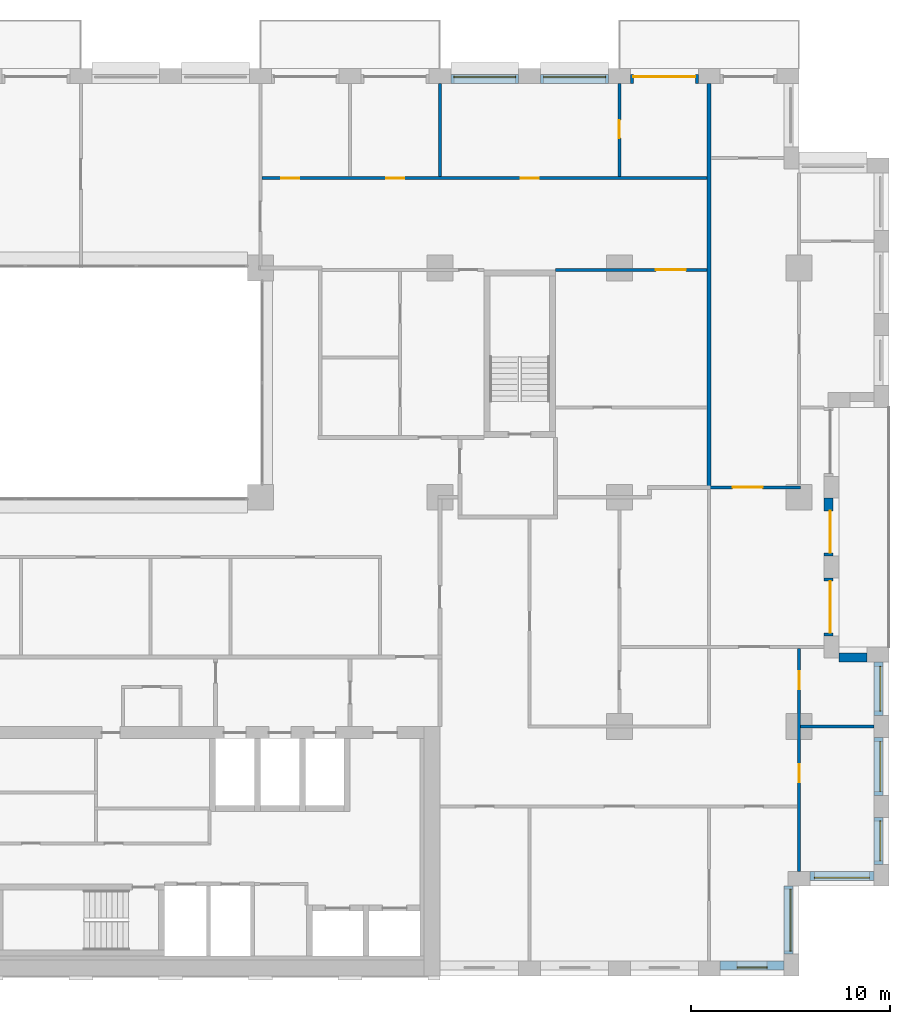
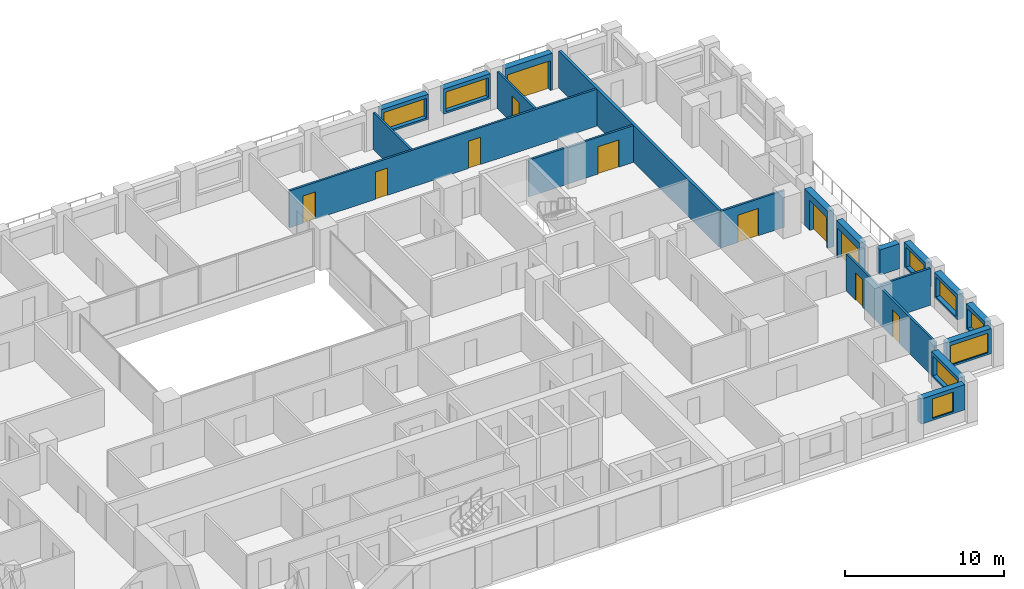
# One storey, part 14 of 16: 20 walls, 11 doors, 8 windows, 19 openings.
"""IFC4 building model written with IfcOpenShell, lengths in metres."""

from ifc_helpers import new_model, si_unit, direction, frame, frame_2d, origin, place, context, subcontext, project, spatial, rectangle, extrude, material, layer, layer_set, type_object, element, fill, save


model = new_model("IFC4")

# Units and contexts
model_context = context("Model", 3, precision=1e-05, world=origin(), true_north=direction((0.0, 1.0)))
body_context = subcontext(model_context, "Body", "Model", "MODEL_VIEW")
ifc_project = project(units=[si_unit("LENGTHUNIT", "METRE"), si_unit("AREAUNIT", "SQUARE_METRE"), si_unit("VOLUMEUNIT", "CUBIC_METRE"), si_unit("PLANEANGLEUNIT", "RADIAN"), si_unit("MASSUNIT", "GRAM", prefix="KILO")], contexts=[model_context])

# Site, building, storey
site_placement = place(None, origin())
site = spatial("IfcSite", under=ifc_project, at=site_placement, CompositionType="ELEMENT")
building_placement = place(site_placement, origin())
building = spatial("IfcBuilding", under=site, at=building_placement, Name="Brigalow Station Residences", CompositionType="ELEMENT")
storey_placement = place(building_placement, frame((0.0, 0.0, 118.199951171875)))
storey = spatial("IfcBuildingStorey", under=building, at=storey_placement, Name="L34", CompositionType="ELEMENT", Elevation=118.199951171875)

# Wall, opening, window
ifc_material_1 = material(Name="Clay brick masonry", Category="masonry")
ifc_layer_1 = layer(ifc_material_1, 0.449951171875)
ifc_layer_set_1 = layer_set([ifc_layer_1], Name="BRICK INFILL WALL 450")
wall_type_1 = type_object("IfcWallType", Name="BRICK INFILL WALL 450", PredefinedType="SOLIDWALL", material=ifc_layer_set_1)
wall_1_placement = place(storey_placement, frame((68.050048828125, 0.52490234375, 0.900146484375), z_axis=(0.0, 0.0, 1.0), x_axis=(1.0, 0.0, 0.0)))
wall_1 = element("IfcWall", 1, at=wall_1_placement, inside=storey, type_object=wall_type_1, Name="L34/ewall/W-L34-7", PredefinedType="SOLIDWALL", context=body_context, shape_type="SweptSolid", body=[
    extrude(rectangle(XDim=3.199951171875, YDim=0.449951171875, at=frame_2d((1.60009765625, 0.0))), origin(), (0.0, 0.0, 1.0), 1.929931640625),
])
opening_1_placement = place(wall_1_placement, frame((0.85009765625, 0.0, 0.14990234375)))
opening_1 = element("IfcOpeningElement", 2, at=opening_1_placement, cuts=wall_1, Name="Opening WT-1", PredefinedType="OPENING", context=body_context, shape_type="SweptSolid", body=[
    extrude(rectangle(XDim=1.5, YDim=1.5, at=frame_2d((0.75, 0.75))), frame((0.0, 0.23486328125, 0.0), z_axis=(0.0, -1.0, 0.0), x_axis=(1.0, 0.0, 0.0)), (0.0, 0.0, 1.0), 0.469970703125),
])
ifc_material_2 = material(Name="Anodised aluminium frame with double glazing", Category="aluminium")
window_type_1 = type_object("IfcWindowType", Name="WINDOW 1500x1500", PartitioningType="SINGLE_PANEL", PredefinedType="WINDOW", material=ifc_material_2)
window_1_placement = place(opening_1_placement, origin())
window_1 = element("IfcWindow", 3, at=window_1_placement, inside=storey, type_object=window_type_1, Name="L34/window/W-L34-7", OverallHeight=1.5, OverallWidth=1.5, PartitioningType="SINGLE_PANEL", PredefinedType="WINDOW", context=body_context, shape_type="SweptSolid", body=[
    extrude(rectangle(XDim=1.5, YDim=1.5, at=frame_2d((0.75, 0.75))), frame((0.0, -0.06494140625, 0.0), z_axis=(0.0, -1.0, 0.0), x_axis=(1.0, 0.0, 0.0)), (0.0, 0.0, 1.0), 0.06005859375),
])
fill(opening_1, window_1)

wall_2_placement = place(storey_placement, frame((71.47509765625, 1.10009765625, 0.900146484375), z_axis=(0.0, 0.0, 1.0), x_axis=(0.0, 1.0, 0.0)))
wall_2 = element("IfcWall", 4, at=wall_2_placement, inside=storey, type_object=wall_type_1, Name="L34/ewall/W-L34-8", PredefinedType="SOLIDWALL", context=body_context, shape_type="SweptSolid", body=[
    extrude(rectangle(XDim=3.39990234375, YDim=0.449951171875, at=frame_2d((1.699951171875, 0.0))), origin(), (0.0, 0.0, 1.0), 1.929931640625),
])
opening_2_placement = place(wall_2_placement, frame((0.14990234375, 0.0, 0.14990234375)))
opening_2 = element("IfcOpeningElement", 5, at=opening_2_placement, cuts=wall_2, Name="Opening WT-8", PredefinedType="OPENING", context=body_context, shape_type="SweptSolid", body=[
    extrude(rectangle(XDim=3.10009765625, YDim=1.5, at=frame_2d((1.550048828125, 0.75))), frame((0.0, 0.23486328125, 0.0), z_axis=(0.0, -1.0, 0.0), x_axis=(1.0, 0.0, 0.0)), (0.0, 0.0, 1.0), 0.469970703125),
])
ifc_material_3 = material(Name="Anodised aluminium frame with double glazing", Category="aluminium")
window_type_2 = type_object("IfcWindowType", Name="WINDOW 3100x1500", PartitioningType="SINGLE_PANEL", PredefinedType="WINDOW", material=ifc_material_3)
window_2_placement = place(opening_2_placement, origin())
window_2 = element("IfcWindow", 6, at=window_2_placement, inside=storey, type_object=window_type_2, Name="L34/window/W-L34-8", OverallHeight=1.5, OverallWidth=3.10009765625, PartitioningType="SINGLE_PANEL", PredefinedType="WINDOW", context=body_context, shape_type="SweptSolid", body=[
    extrude(rectangle(XDim=3.10009765625, YDim=1.5, at=frame_2d((1.550048828125, 0.75))), frame((0.0, -0.06494140625, 0.0), z_axis=(0.0, -1.0, 0.0), x_axis=(1.0, 0.0, 0.0)), (0.0, 0.0, 1.0), 0.06005859375),
])
fill(opening_2, window_2)

wall_3_placement = place(storey_placement, frame((72.550048828125, 5.02490234375, 0.900146484375), z_axis=(0.0, 0.0, 1.0), x_axis=(1.0, 0.0, 0.0)))
wall_3 = element("IfcWall", 7, at=wall_3_placement, inside=storey, type_object=wall_type_1, Name="L34/ewall/W-L34-9", PredefinedType="SOLIDWALL", context=body_context, shape_type="SweptSolid", body=[
    extrude(rectangle(XDim=3.199951171875, YDim=0.449951171875, at=frame_2d((1.60009765625, 0.0))), origin(), (0.0, 0.0, 1.0), 1.929931640625),
])
opening_3_placement = place(wall_3_placement, frame((0.22509765625, 0.0, 0.14990234375)))
opening_3 = element("IfcOpeningElement", 8, at=opening_3_placement, cuts=wall_3, Name="Opening WT-3", PredefinedType="OPENING", context=body_context, shape_type="SweptSolid", body=[
    extrude(rectangle(XDim=2.75, YDim=1.5, at=frame_2d((1.375, 0.75))), frame((0.0, 0.23486328125, 0.0), z_axis=(0.0, -1.0, 0.0), x_axis=(1.0, 0.0, 0.0)), (0.0, 0.0, 1.0), 0.469970703125),
])
ifc_material_4 = material(Name="Anodised aluminium frame with double glazing", Category="aluminium")
window_type_3 = type_object("IfcWindowType", Name="WINDOW 2750x1500", PartitioningType="SINGLE_PANEL", PredefinedType="WINDOW", material=ifc_material_4)
window_3_placement = place(opening_3_placement, origin())
window_3 = element("IfcWindow", 9, at=window_3_placement, inside=storey, type_object=window_type_3, Name="L34/window/W-L34-9", OverallHeight=1.5, OverallWidth=2.75, PartitioningType="SINGLE_PANEL", PredefinedType="WINDOW", context=body_context, shape_type="SweptSolid", body=[
    extrude(rectangle(XDim=2.75, YDim=1.5, at=frame_2d((1.375, 0.75))), frame((0.0, -0.06494140625, 0.0), z_axis=(0.0, -1.0, 0.0), x_axis=(1.0, 0.0, 0.0)), (0.0, 0.0, 1.0), 0.06005859375),
])
fill(opening_3, window_3)

wall_4_placement = place(storey_placement, frame((75.97509765625, 5.60009765625, 0.900146484375), z_axis=(0.0, 0.0, 1.0), x_axis=(0.0, 1.0, 0.0)))
wall_4 = element("IfcWall", 10, at=wall_4_placement, inside=storey, type_object=wall_type_1, Name="L34/ewall/W-L34-10", PredefinedType="SOLIDWALL", context=body_context, shape_type="SweptSolid", body=[
    extrude(rectangle(XDim=2.349853515625, YDim=0.449951171875, at=frame_2d((1.1748046875, 0.0))), origin(), (0.0, 0.0, 1.0), 1.929931640625),
])
opening_4_placement = place(wall_4_placement, frame((0.175048828125, 0.0, 0.14990234375)))
opening_4 = element("IfcOpeningElement", 11, at=opening_4_placement, cuts=wall_4, Name="Opening WT-7", PredefinedType="OPENING", context=body_context, shape_type="SweptSolid", body=[
    extrude(rectangle(XDim=2.0, YDim=1.5, at=frame_2d((1.0, 0.75))), frame((0.0, 0.23486328125, 0.0), z_axis=(0.0, -1.0, 0.0), x_axis=(1.0, 0.0, 0.0)), (0.0, 0.0, 1.0), 0.469970703125),
])
ifc_material_5 = material(Name="Anodised aluminium frame with double glazing", Category="aluminium")
window_type_4 = type_object("IfcWindowType", Name="WINDOW 2000x1500", PartitioningType="SINGLE_PANEL", PredefinedType="WINDOW", material=ifc_material_5)
window_4_placement = place(opening_4_placement, origin())
window_4 = element("IfcWindow", 12, at=window_4_placement, inside=storey, type_object=window_type_4, Name="L34/window/W-L34-10", OverallHeight=1.5, OverallWidth=2.0, PartitioningType="SINGLE_PANEL", PredefinedType="WINDOW", context=body_context, shape_type="SweptSolid", body=[
    extrude(rectangle(XDim=2.0, YDim=1.5, at=frame_2d((1.0, 0.75))), frame((0.0, -0.06494140625, 0.0), z_axis=(0.0, -1.0, 0.0), x_axis=(1.0, 0.0, 0.0)), (0.0, 0.0, 1.0), 0.06005859375),
])
fill(opening_4, window_4)

wall_5_placement = place(storey_placement, frame((75.97509765625, 9.050048828125, 0.900146484375), z_axis=(0.0, 0.0, 1.0), x_axis=(0.0, 1.0, 0.0)))
wall_5 = element("IfcWall", 13, at=wall_5_placement, inside=storey, type_object=wall_type_1, Name="L34/ewall/W-L34-11", PredefinedType="SOLIDWALL", context=body_context, shape_type="SweptSolid", body=[
    extrude(rectangle(XDim=2.89990234375, YDim=0.449951171875, at=frame_2d((1.449951171875, 0.0))), origin(), (0.0, 0.0, 1.0), 1.929931640625),
])
opening_5_placement = place(wall_5_placement, frame((0.199951171875, 0.0, 0.14990234375)))
opening_5 = element("IfcOpeningElement", 14, at=opening_5_placement, cuts=wall_5, Name="Opening WT-5", PredefinedType="OPENING", context=body_context, shape_type="SweptSolid", body=[
    extrude(rectangle(XDim=2.5, YDim=1.5, at=frame_2d((1.25, 0.75))), frame((0.0, 0.23486328125, 0.0), z_axis=(0.0, -1.0, 0.0), x_axis=(1.0, 0.0, 0.0)), (0.0, 0.0, 1.0), 0.469970703125),
])
ifc_material_6 = material(Name="Anodised aluminium frame with double glazing", Category="aluminium")
window_type_5 = type_object("IfcWindowType", Name="WINDOW 2500x1500", PartitioningType="SINGLE_PANEL", PredefinedType="WINDOW", material=ifc_material_6)
window_5_placement = place(opening_5_placement, origin())
window_5 = element("IfcWindow", 15, at=window_5_placement, inside=storey, type_object=window_type_5, Name="L34/window/W-L34-11", OverallHeight=1.5, OverallWidth=2.5, PartitioningType="SINGLE_PANEL", PredefinedType="WINDOW", context=body_context, shape_type="SweptSolid", body=[
    extrude(rectangle(XDim=2.5, YDim=1.5, at=frame_2d((1.25, 0.75))), frame((0.0, -0.06494140625, 0.0), z_axis=(0.0, -1.0, 0.0), x_axis=(1.0, 0.0, 0.0)), (0.0, 0.0, 1.0), 0.06005859375),
])
fill(opening_5, window_5)

wall_6_placement = place(storey_placement, frame((75.97509765625, 13.050048828125, 0.900146484375), z_axis=(0.0, 0.0, 1.0), x_axis=(0.0, 1.0, 0.0)))
wall_6 = element("IfcWall", 16, at=wall_6_placement, inside=storey, type_object=wall_type_1, Name="L34/ewall/W-L34-12", PredefinedType="SOLIDWALL", context=body_context, shape_type="SweptSolid", body=[
    extrude(rectangle(XDim=2.699951171875, YDim=0.449951171875, at=frame_2d((1.35009765625, 0.0))), origin(), (0.0, 0.0, 1.0), 1.929931640625),
])
opening_6_placement = place(wall_6_placement, frame((0.22509765625, 0.0, 0.14990234375)))
opening_6 = element("IfcOpeningElement", 17, at=opening_6_placement, cuts=wall_6, Name="Opening WT-6", PredefinedType="OPENING", context=body_context, shape_type="SweptSolid", body=[
    extrude(rectangle(XDim=2.25, YDim=1.5, at=frame_2d((1.125, 0.75))), frame((0.0, 0.23486328125, 0.0), z_axis=(0.0, -1.0, 0.0), x_axis=(1.0, 0.0, 0.0)), (0.0, 0.0, 1.0), 0.469970703125),
])
ifc_material_7 = material(Name="Anodised aluminium frame with double glazing", Category="aluminium")
window_type_6 = type_object("IfcWindowType", Name="WINDOW 2250x1500", PartitioningType="SINGLE_PANEL", PredefinedType="WINDOW", material=ifc_material_7)
window_6_placement = place(opening_6_placement, origin())
window_6 = element("IfcWindow", 18, at=window_6_placement, inside=storey, type_object=window_type_6, Name="L34/window/W-L34-12", OverallHeight=1.5, OverallWidth=2.25, PartitioningType="SINGLE_PANEL", PredefinedType="WINDOW", context=body_context, shape_type="SweptSolid", body=[
    extrude(rectangle(XDim=2.25, YDim=1.5, at=frame_2d((1.125, 0.75))), frame((0.0, -0.06494140625, 0.0), z_axis=(0.0, -1.0, 0.0), x_axis=(1.0, 0.0, 0.0)), (0.0, 0.0, 1.0), 0.06005859375),
])
fill(opening_6, window_6)

# Wall
wall_7_placement = place(storey_placement, frame((75.39990234375, 15.97509765625, 0.900146484375), z_axis=(0.0, 0.0, 1.0), x_axis=(-1.0, 0.0, 0.0)))
element("IfcWall", 19, at=wall_7_placement, inside=storey, type_object=wall_type_1, Name="L34/ewall/W-L34-13", PredefinedType="SOLIDWALL", context=body_context, shape_type="SweptSolid", body=[
    extrude(rectangle(XDim=1.39990234375, YDim=0.449951171875, at=frame_2d((0.699951171875, 0.0))), origin(), (0.0, 0.0, 1.0), 1.929931640625),
])

# Wall, opening, door
wall_8_placement = place(storey_placement, frame((73.47509765625, 17.050048828125, 0.0), z_axis=(0.0, 0.0, 1.0), x_axis=(0.0, 1.0, 0.0)))
wall_8 = element("IfcWall", 20, at=wall_8_placement, inside=storey, type_object=wall_type_1, Name="L34/ewall/W-L34-14", PredefinedType="SOLIDWALL", context=body_context, shape_type="SweptSolid", body=[
    extrude(rectangle(XDim=2.89990234375, YDim=0.449951171875, at=frame_2d((1.449951171875, 0.0))), origin(), (0.0, 0.0, 1.0), 2.830078125),
])
opening_7_placement = place(wall_8_placement, frame((0.14990234375, 0.0, 0.0)))
opening_7 = element("IfcOpeningElement", 21, at=opening_7_placement, cuts=wall_8, Name="Opening D-B2600", PredefinedType="OPENING", context=body_context, shape_type="SweptSolid", body=[
    extrude(rectangle(XDim=2.60009765625, YDim=2.300048828125, at=frame_2d((1.300048828125, 1.14990234375))), frame((0.0, 0.23486328125, 0.0), z_axis=(0.0, -1.0, 0.0), x_axis=(1.0, 0.0, 0.0)), (0.0, 0.0, 1.0), 0.469970703125),
])
ifc_material_8 = material(Name="Anodised aluminium frame with double glazing", Category="aluminium")
door_type_1 = type_object("IfcDoorType", Name="BALCONY SLIDING DOOR 2600x2300", OperationType="SLIDING_TO_LEFT", PredefinedType="DOOR", material=ifc_material_8)
door_1_placement = place(opening_7_placement, origin())
door_1 = element("IfcDoor", 22, at=door_1_placement, inside=storey, type_object=door_type_1, Name="L34/balcony-door/W-L34-14", OperationType="SLIDING_TO_LEFT", OverallHeight=2.300048828125, OverallWidth=2.60009765625, PredefinedType="DOOR", context=body_context, shape_type="SweptSolid", body=[
    extrude(rectangle(XDim=2.60009765625, YDim=2.300048828125, at=frame_2d((1.300048828125, 1.14990234375))), frame((0.0, -0.06982421875, 0.0), z_axis=(0.0, -1.0, 0.0), x_axis=(1.0, 0.0, 0.0)), (0.0, 0.0, 1.0), 0.050048828125),
])
fill(opening_7, door_1)

wall_9_placement = place(storey_placement, frame((73.47509765625, 21.050048828125, 0.0), z_axis=(0.0, 0.0, 1.0), x_axis=(0.0, 1.0, 0.0)))
wall_9 = element("IfcWall", 23, at=wall_9_placement, inside=storey, type_object=wall_type_1, Name="L34/ewall/W-L34-15", PredefinedType="SOLIDWALL", context=body_context, shape_type="SweptSolid", body=[
    extrude(rectangle(XDim=2.89990234375, YDim=0.449951171875, at=frame_2d((1.449951171875, 0.0))), origin(), (0.0, 0.0, 1.0), 2.830078125),
])
opening_8_placement = place(wall_9_placement, frame((0.1650390625, 0.0, 0.0)))
opening_8 = element("IfcOpeningElement", 24, at=opening_8_placement, cuts=wall_9, Name="Opening D-B2100", PredefinedType="OPENING", context=body_context, shape_type="SweptSolid", body=[
    extrude(rectangle(XDim=2.10009765625, YDim=2.300048828125, at=frame_2d((1.050048828125, 1.14990234375))), frame((0.0, 0.23486328125, 0.0), z_axis=(0.0, -1.0, 0.0), x_axis=(1.0, 0.0, 0.0)), (0.0, 0.0, 1.0), 0.469970703125),
])
ifc_material_9 = material(Name="Anodised aluminium frame with double glazing", Category="aluminium")
door_type_2 = type_object("IfcDoorType", Name="BALCONY SLIDING DOOR 2100x2300", OperationType="SLIDING_TO_LEFT", PredefinedType="DOOR", material=ifc_material_9)
door_2_placement = place(opening_8_placement, origin())
door_2 = element("IfcDoor", 25, at=door_2_placement, inside=storey, type_object=door_type_2, Name="L34/balcony-door/W-L34-15", OperationType="SLIDING_TO_LEFT", OverallHeight=2.300048828125, OverallWidth=2.10009765625, PredefinedType="DOOR", context=body_context, shape_type="SweptSolid", body=[
    extrude(rectangle(XDim=2.10009765625, YDim=2.300048828125, at=frame_2d((1.050048828125, 1.14990234375))), frame((0.0, -0.06982421875, 0.0), z_axis=(0.0, -1.0, 0.0), x_axis=(1.0, 0.0, 0.0)), (0.0, 0.0, 1.0), 0.050048828125),
])
fill(opening_8, door_2)

wall_10_placement = place(storey_placement, frame((66.949951171875, 44.97509765625, 0.0), z_axis=(0.0, 0.0, 1.0), x_axis=(-1.0, 0.0, 0.0)))
wall_10 = element("IfcWall", 26, at=wall_10_placement, inside=storey, type_object=wall_type_1, Name="L34/ewall/W-L34-24", PredefinedType="SOLIDWALL", context=body_context, shape_type="SweptSolid", body=[
    extrude(rectangle(XDim=3.39990234375, YDim=0.449951171875, at=frame_2d((1.699951171875, 0.0))), origin(), (0.0, 0.0, 1.0), 2.830078125),
])
opening_9_placement = place(wall_10_placement, frame((0.14990234375, 0.0, 0.0)))
opening_9 = element("IfcOpeningElement", 27, at=opening_9_placement, cuts=wall_10, Name="Opening D-B3100", PredefinedType="OPENING", context=body_context, shape_type="SweptSolid", body=[
    extrude(rectangle(XDim=3.10009765625, YDim=2.300048828125, at=frame_2d((1.550048828125, 1.14990234375))), frame((0.0, 0.23486328125, 0.0), z_axis=(0.0, -1.0, 0.0), x_axis=(1.0, 0.0, 0.0)), (0.0, 0.0, 1.0), 0.469970703125),
])
ifc_material_10 = material(Name="Anodised aluminium frame with double glazing", Category="aluminium")
door_type_3 = type_object("IfcDoorType", Name="BALCONY SLIDING DOOR 3100x2300", OperationType="SLIDING_TO_LEFT", PredefinedType="DOOR", material=ifc_material_10)
door_3_placement = place(opening_9_placement, origin())
door_3 = element("IfcDoor", 28, at=door_3_placement, inside=storey, type_object=door_type_3, Name="L34/balcony-door/W-L34-24", OperationType="SLIDING_TO_LEFT", OverallHeight=2.300048828125, OverallWidth=3.10009765625, PredefinedType="DOOR", context=body_context, shape_type="SweptSolid", body=[
    extrude(rectangle(XDim=3.10009765625, YDim=2.300048828125, at=frame_2d((1.550048828125, 1.14990234375))), frame((0.0, -0.06982421875, 0.0), z_axis=(0.0, -1.0, 0.0), x_axis=(1.0, 0.0, 0.0)), (0.0, 0.0, 1.0), 0.050048828125),
])
fill(opening_9, door_3)

# Wall, opening, window
wall_11_placement = place(storey_placement, frame((62.449951171875, 44.97509765625, 0.900146484375), z_axis=(0.0, 0.0, 1.0), x_axis=(-1.0, 0.0, 0.0)))
wall_11 = element("IfcWall", 29, at=wall_11_placement, inside=storey, type_object=wall_type_1, Name="L34/ewall/W-L34-25", PredefinedType="SOLIDWALL", context=body_context, shape_type="SweptSolid", body=[
    extrude(rectangle(XDim=3.39990234375, YDim=0.449951171875, at=frame_2d((1.699951171875, 0.0))), origin(), (0.0, 0.0, 1.0), 1.929931640625),
])
opening_10_placement = place(wall_11_placement, frame((0.14990234375, 0.0, 0.14990234375)))
opening_10 = element("IfcOpeningElement", 30, at=opening_10_placement, cuts=wall_11, Name="Opening WT-8", PredefinedType="OPENING", context=body_context, shape_type="SweptSolid", body=[
    extrude(rectangle(XDim=3.10009765625, YDim=1.5, at=frame_2d((1.550048828125, 0.75))), frame((0.0, 0.23486328125, 0.0), z_axis=(0.0, -1.0, 0.0), x_axis=(1.0, 0.0, 0.0)), (0.0, 0.0, 1.0), 0.469970703125),
])
window_7_placement = place(opening_10_placement, origin())
window_7 = element("IfcWindow", 31, at=window_7_placement, inside=storey, type_object=window_type_2, Name="L34/window/W-L34-25", OverallHeight=1.5, OverallWidth=3.10009765625, PartitioningType="SINGLE_PANEL", PredefinedType="WINDOW", context=body_context, shape_type="SweptSolid", body=[
    extrude(rectangle(XDim=3.10009765625, YDim=1.5, at=frame_2d((1.550048828125, 0.75))), frame((0.0, -0.06494140625, 0.0), z_axis=(0.0, -1.0, 0.0), x_axis=(1.0, 0.0, 0.0)), (0.0, 0.0, 1.0), 0.06005859375),
])
fill(opening_10, window_7)

wall_12_placement = place(storey_placement, frame((57.949951171875, 44.97509765625, 0.900146484375), z_axis=(0.0, 0.0, 1.0), x_axis=(-1.0, 0.0, 0.0)))
wall_12 = element("IfcWall", 32, at=wall_12_placement, inside=storey, type_object=wall_type_1, Name="L34/ewall/W-L34-26", PredefinedType="SOLIDWALL", context=body_context, shape_type="SweptSolid", body=[
    extrude(rectangle(XDim=3.39990234375, YDim=0.449951171875, at=frame_2d((1.699951171875, 0.0))), origin(), (0.0, 0.0, 1.0), 1.929931640625),
])
opening_11_placement = place(wall_12_placement, frame((0.14990234375, 0.0, 0.14990234375)))
opening_11 = element("IfcOpeningElement", 33, at=opening_11_placement, cuts=wall_12, Name="Opening WT-8", PredefinedType="OPENING", context=body_context, shape_type="SweptSolid", body=[
    extrude(rectangle(XDim=3.10009765625, YDim=1.5, at=frame_2d((1.550048828125, 0.75))), frame((0.0, 0.23486328125, 0.0), z_axis=(0.0, -1.0, 0.0), x_axis=(1.0, 0.0, 0.0)), (0.0, 0.0, 1.0), 0.469970703125),
])
window_8_placement = place(opening_11_placement, origin())
window_8 = element("IfcWindow", 34, at=window_8_placement, inside=storey, type_object=window_type_2, Name="L34/window/W-L34-26", OverallHeight=1.5, OverallWidth=3.10009765625, PartitioningType="SINGLE_PANEL", PredefinedType="WINDOW", context=body_context, shape_type="SweptSolid", body=[
    extrude(rectangle(XDim=3.10009765625, YDim=1.5, at=frame_2d((1.550048828125, 0.75))), frame((0.0, -0.06494140625, 0.0), z_axis=(0.0, -1.0, 0.0), x_axis=(1.0, 0.0, 0.0)), (0.0, 0.0, 1.0), 0.06005859375),
])
fill(opening_11, window_8)

# Wall
ifc_material_11 = material(Name="Plasterboard on steel stud partition", Category="steel")
ifc_layer_2 = layer(ifc_material_11, 0.14990234375)
ifc_layer_set_2 = layer_set([ifc_layer_2], Name="FLAT PARTITION 150")
wall_type_2 = type_object("IfcWallType", Name="FLAT PARTITION 150", PredefinedType="PARTITIONING", material=ifc_layer_set_2)
wall_13_placement = place(storey_placement, frame((72.074951171875, 12.5, 0.0), z_axis=(0.0, 0.0, 1.0), x_axis=(1.0, 0.0, 0.0)))
element("IfcWall", 35, at=wall_13_placement, inside=storey, type_object=wall_type_2, Name="PW-2E13", PredefinedType="PARTITIONING", context=body_context, shape_type="SweptSolid", body=[
    extrude(rectangle(XDim=3.675048828125, YDim=0.14990234375, at=frame_2d((1.83740234375, 0.0))), origin(), (0.0, 0.0, 1.0), 2.830078125),
])

# Wall, opening, door
wall_14_placement = place(storey_placement, frame((67.425048828125, 24.5, 0.0), z_axis=(0.0, 0.0, 1.0), x_axis=(1.0, 0.0, 0.0)))
wall_14 = element("IfcWall", 36, at=wall_14_placement, inside=storey, type_object=wall_type_2, Name="PW-2E19", PredefinedType="PARTITIONING", context=body_context, shape_type="SweptSolid", body=[
    extrude(rectangle(XDim=4.64990234375, YDim=0.14990234375, at=frame_2d((2.324951171875, 0.0))), origin(), (0.0, 0.0, 1.0), 2.830078125),
])
opening_12_placement = place(wall_14_placement, frame((1.25, 0.0, 0.0)))
opening_12 = element("IfcOpeningElement", 37, at=opening_12_placement, cuts=wall_14, Name="Opening D-2E41", PredefinedType="OPENING", context=body_context, shape_type="SweptSolid", body=[
    extrude(rectangle(XDim=1.5, YDim=2.10009765625, at=frame_2d((0.75, 1.050048828125))), frame((0.0, 0.0849609375, 0.0), z_axis=(0.0, -1.0, 0.0), x_axis=(1.0, 0.0, 0.0)), (0.0, 0.0, 1.0), 0.169921875),
])
ifc_material_12 = material(Name="Solid-core timber door leaf", Category="wood")
door_type_4 = type_object("IfcDoorType", Name="INTERNAL DOUBLE DOOR 1500 x 2100", OperationType="DOUBLE_DOOR_SINGLE_SWING", PredefinedType="DOOR", material=ifc_material_12)
door_4_placement = place(opening_12_placement, frame((1.5, 0.0, 0.0), z_axis=(0.0, 0.0, 1.0), x_axis=(-1.0, 0.0, 0.0)))
door_4 = element("IfcDoor", 38, at=door_4_placement, inside=storey, type_object=door_type_4, Name="D-2E41", OperationType="DOUBLE_DOOR_SINGLE_SWING", OverallHeight=2.10009765625, OverallWidth=1.5, PredefinedType="DOOR", context=body_context, shape_type="SweptSolid", body=[
    extrude(rectangle(XDim=1.5, YDim=2.10009765625, at=frame_2d((0.75, 1.050048828125))), frame((0.0, 0.02490234375, 0.0), z_axis=(0.0, -1.0, 0.0), x_axis=(1.0, 0.0, 0.0)), (0.0, 0.0, 1.0), 0.050048828125),
])
fill(opening_12, door_4)

wall_15_placement = place(storey_placement, frame((59.800048828125, 35.39990234375, 0.0), z_axis=(0.0, 0.0, 1.0), x_axis=(1.0, 0.0, 0.0)))
wall_15 = element("IfcWall", 39, at=wall_15_placement, inside=storey, type_object=wall_type_2, Name="PW-2E29", PredefinedType="PARTITIONING", context=body_context, shape_type="SweptSolid", body=[
    extrude(rectangle(XDim=7.599853515625, YDim=0.14990234375, at=frame_2d((3.7998046875, 0.0))), origin(), (0.0, 0.0, 1.0), 2.830078125),
])
opening_13_placement = place(wall_15_placement, frame((5.02490234375, 0.0, 0.0)))
opening_13 = element("IfcOpeningElement", 40, at=opening_13_placement, cuts=wall_15, Name="Opening D-2E28", PredefinedType="OPENING", context=body_context, shape_type="SweptSolid", body=[
    extrude(rectangle(XDim=1.5, YDim=2.10009765625, at=frame_2d((0.75, 1.050048828125))), frame((0.0, 0.0849609375, 0.0), z_axis=(0.0, -1.0, 0.0), x_axis=(1.0, 0.0, 0.0)), (0.0, 0.0, 1.0), 0.169921875),
])
door_5_placement = place(opening_13_placement, frame((1.5, 0.0, 0.0), z_axis=(0.0, 0.0, 1.0), x_axis=(-1.0, 0.0, 0.0)))
door_5 = element("IfcDoor", 41, at=door_5_placement, inside=storey, type_object=door_type_4, Name="D-2E28", OperationType="DOUBLE_DOOR_SINGLE_SWING", OverallHeight=2.10009765625, OverallWidth=1.5, PredefinedType="DOOR", context=body_context, shape_type="SweptSolid", body=[
    extrude(rectangle(XDim=1.5, YDim=2.10009765625, at=frame_2d((0.75, 1.050048828125))), frame((0.0, 0.02490234375, 0.0), z_axis=(0.0, -1.0, 0.0), x_axis=(1.0, 0.0, 0.0)), (0.0, 0.0, 1.0), 0.050048828125),
])
fill(opening_13, door_5)

# Wall, openings, doors
wall_16_placement = place(storey_placement, frame((45.074951171875, 40.0, 0.0), z_axis=(0.0, 0.0, 1.0), x_axis=(1.0, 0.0, 0.0)))
wall_16 = element("IfcWall", 42, at=wall_16_placement, inside=storey, type_object=wall_type_2, Name="PW-2E33", PredefinedType="PARTITIONING", context=body_context, shape_type="SweptSolid", body=[
    extrude(rectangle(XDim=22.324951171875, YDim=0.14990234375, at=frame_2d((11.16259765625, 0.0))), origin(), (0.0, 0.0, 1.0), 2.830078125),
])
opening_14_placement = place(wall_16_placement, frame((0.97509765625, 0.0, 0.0)))
opening_14 = element("IfcOpeningElement", 43, at=opening_14_placement, cuts=wall_16, Name="Opening D-2E24", PredefinedType="OPENING", context=body_context, shape_type="SweptSolid", body=[
    extrude(rectangle(XDim=0.89990234375, YDim=2.10009765625, at=frame_2d((0.449951171875, 1.050048828125))), frame((0.0, 0.0849609375, 0.0), z_axis=(0.0, -1.0, 0.0), x_axis=(1.0, 0.0, 0.0)), (0.0, 0.0, 1.0), 0.169921875),
])
opening_15_placement = place(wall_16_placement, frame((6.22509765625, 0.0, 0.0)))
opening_15 = element("IfcOpeningElement", 44, at=opening_15_placement, cuts=wall_16, Name="Opening D-2E25", PredefinedType="OPENING", context=body_context, shape_type="SweptSolid", body=[
    extrude(rectangle(XDim=0.89990234375, YDim=2.10009765625, at=frame_2d((0.449951171875, 1.050048828125))), frame((0.0, 0.0849609375, 0.0), z_axis=(0.0, -1.0, 0.0), x_axis=(1.0, 0.0, 0.0)), (0.0, 0.0, 1.0), 0.169921875),
])
opening_16_placement = place(wall_16_placement, frame((12.97509765625, 0.0, 0.0)))
opening_16 = element("IfcOpeningElement", 45, at=opening_16_placement, cuts=wall_16, Name="Opening D-2E26", PredefinedType="OPENING", context=body_context, shape_type="SweptSolid", body=[
    extrude(rectangle(XDim=0.89990234375, YDim=2.10009765625, at=frame_2d((0.449951171875, 1.050048828125))), frame((0.0, 0.0849609375, 0.0), z_axis=(0.0, -1.0, 0.0), x_axis=(1.0, 0.0, 0.0)), (0.0, 0.0, 1.0), 0.169921875),
])
ifc_material_13 = material(Name="Solid-core timber door leaf", Category="wood")
door_type_5 = type_object("IfcDoorType", Name="INTERNAL DOOR 900 x 2100", OperationType="SINGLE_SWING_LEFT", PredefinedType="DOOR", material=ifc_material_13)
door_6_placement = place(opening_14_placement, origin())
door_6 = element("IfcDoor", 46, at=door_6_placement, inside=storey, type_object=door_type_5, Name="D-2E24", OperationType="SINGLE_SWING_LEFT", OverallHeight=2.10009765625, OverallWidth=0.89990234375, PredefinedType="DOOR", context=body_context, shape_type="SweptSolid", body=[
    extrude(rectangle(XDim=0.89990234375, YDim=2.10009765625, at=frame_2d((0.449951171875, 1.050048828125))), frame((0.0, 0.02490234375, 0.0), z_axis=(0.0, -1.0, 0.0), x_axis=(1.0, 0.0, 0.0)), (0.0, 0.0, 1.0), 0.050048828125),
])
fill(opening_14, door_6)
door_7_placement = place(opening_15_placement, origin())
door_7 = element("IfcDoor", 47, at=door_7_placement, inside=storey, type_object=door_type_5, Name="D-2E25", OperationType="SINGLE_SWING_RIGHT", OverallHeight=2.10009765625, OverallWidth=0.89990234375, PredefinedType="DOOR", context=body_context, shape_type="SweptSolid", body=[
    extrude(rectangle(XDim=0.89990234375, YDim=2.10009765625, at=frame_2d((0.449951171875, 1.050048828125))), frame((0.0, 0.02490234375, 0.0), z_axis=(0.0, -1.0, 0.0), x_axis=(1.0, 0.0, 0.0)), (0.0, 0.0, 1.0), 0.050048828125),
])
fill(opening_15, door_7)
door_8_placement = place(opening_16_placement, origin())
door_8 = element("IfcDoor", 48, at=door_8_placement, inside=storey, type_object=door_type_5, Name="D-2E26", OperationType="SINGLE_SWING_LEFT", OverallHeight=2.10009765625, OverallWidth=0.89990234375, PredefinedType="DOOR", context=body_context, shape_type="SweptSolid", body=[
    extrude(rectangle(XDim=0.89990234375, YDim=2.10009765625, at=frame_2d((0.449951171875, 1.050048828125))), frame((0.0, 0.02490234375, 0.0), z_axis=(0.0, -1.0, 0.0), x_axis=(1.0, 0.0, 0.0)), (0.0, 0.0, 1.0), 0.050048828125),
])
fill(opening_16, door_8)

# Wall
wall_17_placement = place(storey_placement, frame((54.0, 40.074951171875, 0.0), z_axis=(0.0, 0.0, 1.0), x_axis=(0.0, 1.0, 0.0)))
element("IfcWall", 49, at=wall_17_placement, inside=storey, type_object=wall_type_2, Name="PW-2E36", PredefinedType="PARTITIONING", context=body_context, shape_type="SweptSolid", body=[
    extrude(rectangle(XDim=4.675048828125, YDim=0.14990234375, at=frame_2d((2.33740234375, 0.0))), origin(), (0.0, 0.0, 1.0), 2.830078125),
])

# Wall, opening, door
wall_18_placement = place(storey_placement, frame((63.0, 40.074951171875, 0.0), z_axis=(0.0, 0.0, 1.0), x_axis=(0.0, 1.0, 0.0)))
wall_18 = element("IfcWall", 50, at=wall_18_placement, inside=storey, type_object=wall_type_2, Name="PW-2E60", PredefinedType="PARTITIONING", context=body_context, shape_type="SweptSolid", body=[
    extrude(rectangle(XDim=4.675048828125, YDim=0.14990234375, at=frame_2d((2.33740234375, 0.0))), origin(), (0.0, 0.0, 1.0), 2.830078125),
])
opening_17_placement = place(wall_18_placement, frame((1.925048828125, 0.0, 0.0)))
opening_17 = element("IfcOpeningElement", 51, at=opening_17_placement, cuts=wall_18, Name="Opening D-2E27", PredefinedType="OPENING", context=body_context, shape_type="SweptSolid", body=[
    extrude(rectangle(XDim=0.89990234375, YDim=2.10009765625, at=frame_2d((0.449951171875, 1.050048828125))), frame((0.0, 0.0849609375, 0.0), z_axis=(0.0, -1.0, 0.0), x_axis=(1.0, 0.0, 0.0)), (0.0, 0.0, 1.0), 0.169921875),
])
door_9_placement = place(opening_17_placement, frame((0.89990234375, 0.0, 0.0), z_axis=(0.0, 0.0, 1.0), x_axis=(-1.0, 0.0, 0.0)))
door_9 = element("IfcDoor", 52, at=door_9_placement, inside=storey, type_object=door_type_5, Name="D-2E27", OperationType="SINGLE_SWING_LEFT", OverallHeight=2.10009765625, OverallWidth=0.89990234375, PredefinedType="DOOR", context=body_context, shape_type="SweptSolid", body=[
    extrude(rectangle(XDim=0.89990234375, YDim=2.10009765625, at=frame_2d((0.449951171875, 1.050048828125))), frame((0.0, 0.02490234375, 0.0), z_axis=(0.0, -1.0, 0.0), x_axis=(1.0, 0.0, 0.0)), (0.0, 0.0, 1.0), 0.050048828125),
])
fill(opening_17, door_9)

# Wall, openings, doors
wall_19_placement = place(storey_placement, frame((72.0, 5.25, 0.0), z_axis=(0.0, 0.0, 1.0), x_axis=(0.0, 1.0, 0.0)))
wall_19 = element("IfcWall", 53, at=wall_19_placement, inside=storey, type_object=wall_type_2, Name="PW-2E64", PredefinedType="PARTITIONING", context=body_context, shape_type="SweptSolid", body=[
    extrude(rectangle(XDim=11.175048828125, YDim=0.14990234375, at=frame_2d((5.58740234375, 0.0))), origin(), (0.0, 0.0, 1.0), 2.830078125),
])
opening_18_placement = place(wall_19_placement, frame((4.47509765625, 0.0, 0.0)))
opening_18 = element("IfcOpeningElement", 54, at=opening_18_placement, cuts=wall_19, Name="Opening D-2E35", PredefinedType="OPENING", context=body_context, shape_type="SweptSolid", body=[
    extrude(rectangle(XDim=0.89990234375, YDim=2.10009765625, at=frame_2d((0.449951171875, 1.050048828125))), frame((0.0, 0.0849609375, 0.0), z_axis=(0.0, -1.0, 0.0), x_axis=(1.0, 0.0, 0.0)), (0.0, 0.0, 1.0), 0.169921875),
])
opening_19_placement = place(wall_19_placement, frame((9.125, 0.0, 0.0)))
opening_19 = element("IfcOpeningElement", 55, at=opening_19_placement, cuts=wall_19, Name="Opening D-2E39", PredefinedType="OPENING", context=body_context, shape_type="SweptSolid", body=[
    extrude(rectangle(XDim=0.89990234375, YDim=2.10009765625, at=frame_2d((0.449951171875, 1.050048828125))), frame((0.0, 0.0849609375, 0.0), z_axis=(0.0, -1.0, 0.0), x_axis=(1.0, 0.0, 0.0)), (0.0, 0.0, 1.0), 0.169921875),
])
door_10_placement = place(opening_18_placement, frame((0.89990234375, 0.0, 0.0), z_axis=(0.0, 0.0, 1.0), x_axis=(-1.0, 0.0, 0.0)))
door_10 = element("IfcDoor", 56, at=door_10_placement, inside=storey, type_object=door_type_5, Name="D-2E35", OperationType="SINGLE_SWING_LEFT", OverallHeight=2.10009765625, OverallWidth=0.89990234375, PredefinedType="DOOR", context=body_context, shape_type="SweptSolid", body=[
    extrude(rectangle(XDim=0.89990234375, YDim=2.10009765625, at=frame_2d((0.449951171875, 1.050048828125))), frame((0.0, 0.02490234375, 0.0), z_axis=(0.0, -1.0, 0.0), x_axis=(1.0, 0.0, 0.0)), (0.0, 0.0, 1.0), 0.050048828125),
])
fill(opening_18, door_10)
door_11_placement = place(opening_19_placement, frame((0.89990234375, 0.0, 0.0), z_axis=(0.0, 0.0, 1.0), x_axis=(-1.0, 0.0, 0.0)))
door_11 = element("IfcDoor", 57, at=door_11_placement, inside=storey, type_object=door_type_5, Name="D-2E39", OperationType="SINGLE_SWING_LEFT", OverallHeight=2.10009765625, OverallWidth=0.89990234375, PredefinedType="DOOR", context=body_context, shape_type="SweptSolid", body=[
    extrude(rectangle(XDim=0.89990234375, YDim=2.10009765625, at=frame_2d((0.449951171875, 1.050048828125))), frame((0.0, 0.02490234375, 0.0), z_axis=(0.0, -1.0, 0.0), x_axis=(1.0, 0.0, 0.0)), (0.0, 0.0, 1.0), 0.050048828125),
])
fill(opening_19, door_11)

# Wall
ifc_material_14 = material(Name="Plasterboard on steel stud partition", Category="steel")
ifc_layer_3 = layer(ifc_material_14, 0.199951171875)
ifc_layer_set_3 = layer_set([ifc_layer_3], Name="PARTY AND CORRIDOR WALL 200")
wall_type_3 = type_object("IfcWallType", Name="PARTY AND CORRIDOR WALL 200", PredefinedType="PARTITIONING", material=ifc_layer_set_3)
wall_20_placement = place(storey_placement, frame((67.5, 24.574951171875, 0.0), z_axis=(0.0, 0.0, 1.0), x_axis=(0.0, 1.0, 0.0)))
element("IfcWall", 58, at=wall_20_placement, inside=storey, type_object=wall_type_3, Name="PW-2E57", PredefinedType="PARTITIONING", context=body_context, shape_type="SweptSolid", body=[
    extrude(rectangle(XDim=20.175048828125, YDim=0.199951171875, at=frame_2d((10.08740234375, 0.0))), origin(), (0.0, 0.0, 1.0), 2.830078125),
])

save(model, "model.ifc")
